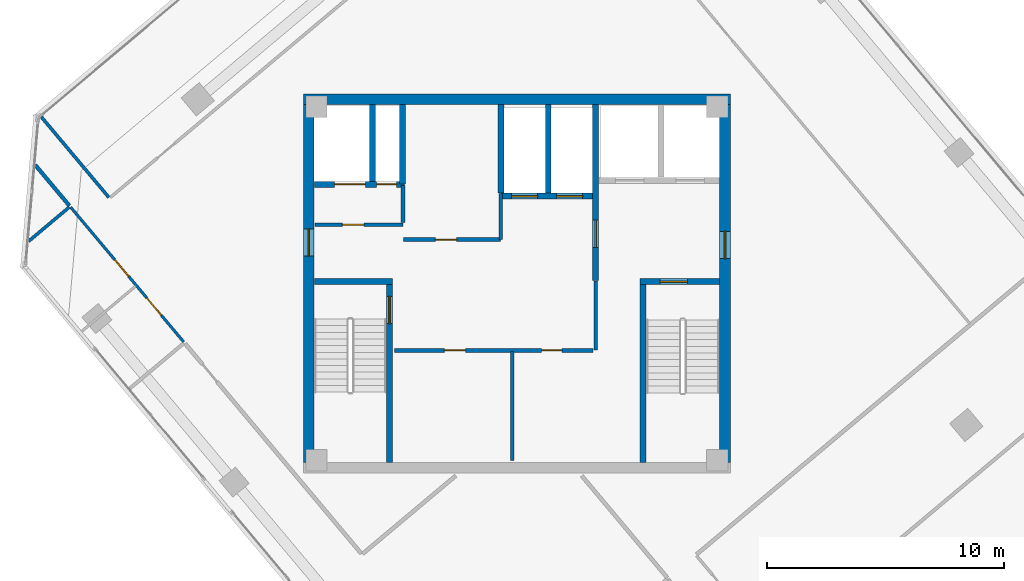
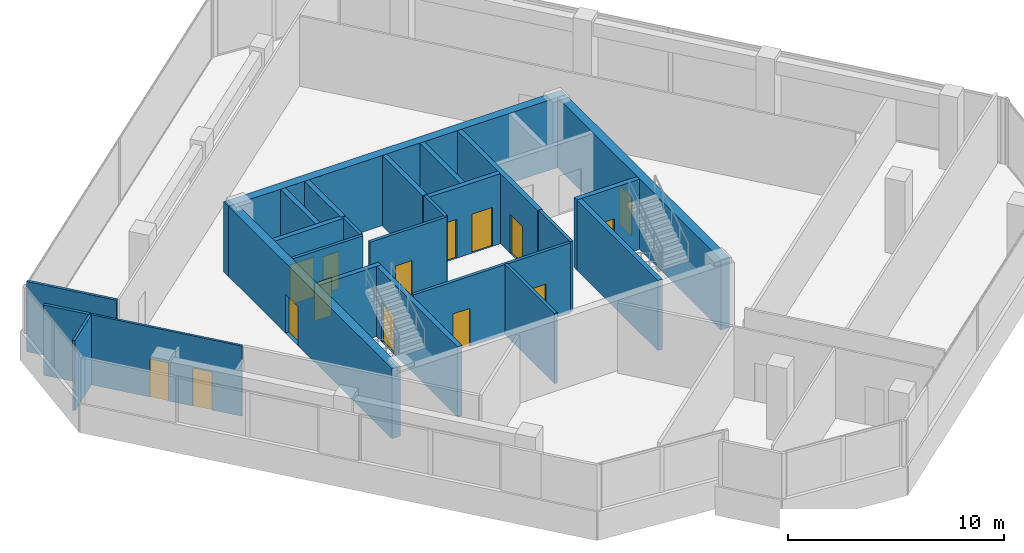
# One storey, part 13 of 17: 25 walls, 15 doors, 15 openings.
"""IFC4 building model written with IfcOpenShell, lengths in metres."""

from ifc_helpers import new_model, si_unit, direction, frame, frame_2d, origin, place, context, subcontext, project, spatial, rectangle, extrude, source, transform, mapped, material, layer, layer_set, type_object, element, fill, save


model = new_model("IFC4")

# Units and contexts
model_context = context("Model", 3, precision=1e-05, world=origin(), true_north=direction((0.0, 1.0)))
body_context = subcontext(model_context, "Body", "Model", "MODEL_VIEW")
ifc_project = project(units=[si_unit("LENGTHUNIT", "METRE"), si_unit("AREAUNIT", "SQUARE_METRE"), si_unit("VOLUMEUNIT", "CUBIC_METRE"), si_unit("PLANEANGLEUNIT", "RADIAN"), si_unit("MASSUNIT", "GRAM", prefix="KILO")], contexts=[model_context])

# Site, building, storey
site_placement = place(None, origin())
site = spatial("IfcSite", under=ifc_project, at=site_placement, CompositionType="ELEMENT")
building_placement = place(site_placement, origin())
building = spatial("IfcBuilding", under=site, at=building_placement, Name="Torre Montelarca", CompositionType="ELEMENT")
storey_placement = place(building_placement, frame((0.0, 0.0, 271.0)))
storey = spatial("IfcBuildingStorey", under=building, at=storey_placement, Name="L61", CompositionType="ELEMENT", Elevation=271.0)

# Wall, opening, door
ifc_material_1 = material(Name="Concrete C40/50", Category="concrete")
ifc_layer_1 = layer(ifc_material_1, 0.25, Name="Concrete C40/50", Category="concrete")
ifc_layer_set_1 = layer_set([ifc_layer_1], Name="Concrete C40/50")
wall_type_1 = type_object("IfcWallType", Name="CW-SHAFT-250", PredefinedType="SHEAR", material=ifc_layer_set_1)
wall_1_placement = place(storey_placement, frame((12.625, 24.4599609375, 0.0), z_axis=(0.0, 0.0, 1.0), x_axis=(0.0, 1.0, 0.0)))
wall_1 = element("IfcWall", 1, at=wall_1_placement, inside=storey, type_object=wall_type_1, Name="L61 Core Shear Wall SH-ST1-E", PredefinedType="SHEAR", context=body_context, shape_type="SweptSolid", body=[
    extrude(rectangle(XDim=7.489990234375, YDim=0.25, at=frame_2d((3.7451171875, 0.0))), origin(), (0.0, 0.0, 1.0), 3.9599609375),
])
opening_1_placement = place(wall_1_placement, frame((5.85009765625, 0.0, 0.0)))
opening_1 = element("IfcOpeningElement", 2, at=opening_1_placement, cuts=wall_1, Name="Opening FD-ST1", PredefinedType="OPENING", context=body_context, shape_type="SweptSolid", body=[
    extrude(rectangle(XDim=1.14990234375, YDim=2.199951171875, at=frame_2d((0.574951171875, 1.10009765625))), frame((0.0, 0.135009765625, 0.0), z_axis=(0.0, -1.0, 0.0), x_axis=(1.0, 0.0, 0.0)), (0.0, 0.0, 1.0), 0.27001953125),
])
ifc_material_2 = material(Name="Galvanized steel fire door", Category="steel")
door_type_1 = type_object("IfcDoorType", Name="DR-STAIR-115", OperationType="NOTDEFINED", PredefinedType="DOOR", material=ifc_material_2)
shared_shape_1 = source(origin(), body_context, "Body", "SweptSolid", [
    extrude(rectangle(XDim=1.14990234375, YDim=2.199951171875, at=frame_2d((0.574951171875, 1.10009765625))), frame((0.0, 0.02490234375, 0.0), z_axis=(0.0, -1.0, 0.0), x_axis=(1.0, 0.0, 0.0)), (0.0, 0.0, 1.0), 0.050048828125),
])
door_1_placement = place(opening_1_placement, origin())
door_1 = element("IfcDoor", 3, at=door_1_placement, inside=storey, type_object=door_type_1, Name="L61 Exit Stair ST1 Fire Door", OperationType="SINGLE_SWING_RIGHT", OverallHeight=2.199951171875, OverallWidth=1.14990234375, PredefinedType="DOOR", context=body_context, shape_type="MappedRepresentation", body=[
    mapped(shared_shape_1, transform((0.0, 0.0, 0.0), scale=1.0)),
])
fill(opening_1, door_1)

# Walls
wall_2_placement = place(storey_placement, frame((9.4599609375, 32.074951171875, 0.0), z_axis=(0.0, 0.0, 1.0), x_axis=(1.0, 0.0, 0.0)))
element("IfcWall", 4, at=wall_2_placement, inside=storey, type_object=wall_type_1, Name="L61 Core Shear Wall SH-ST1-N", PredefinedType="SHEAR", context=body_context, shape_type="SweptSolid", body=[
    extrude(rectangle(XDim=3.2900390625, YDim=0.25, at=frame_2d((1.64501953125, 0.0))), origin(), (0.0, 0.0, 1.0), 3.9599609375),
])
wall_3_placement = place(storey_placement, frame((23.31494140625, 24.4599609375, 0.0), z_axis=(0.0, 0.0, 1.0), x_axis=(0.0, 1.0, 0.0)))
element("IfcWall", 5, at=wall_3_placement, inside=storey, type_object=wall_type_1, Name="L61 Core Shear Wall SH-ST2-W", PredefinedType="SHEAR", context=body_context, shape_type="SweptSolid", body=[
    extrude(rectangle(XDim=7.489990234375, YDim=0.25, at=frame_2d((3.7451171875, 0.0))), origin(), (0.0, 0.0, 1.0), 3.9599609375),
])

# Wall, opening, door
wall_4_placement = place(storey_placement, frame((23.18994140625, 32.074951171875, 0.0), z_axis=(0.0, 0.0, 1.0), x_axis=(1.0, 0.0, 0.0)))
wall_4 = element("IfcWall", 6, at=wall_4_placement, inside=storey, type_object=wall_type_1, Name="L61 Core Shear Wall SH-ST2-N", PredefinedType="SHEAR", context=body_context, shape_type="SweptSolid", body=[
    extrude(rectangle(XDim=3.35009765625, YDim=0.25, at=frame_2d((1.675048828125, 0.0))), origin(), (0.0, 0.0, 1.0), 3.9599609375),
])
opening_2_placement = place(wall_4_placement, frame((0.85009765625, 0.0, 0.0)))
opening_2 = element("IfcOpeningElement", 7, at=opening_2_placement, cuts=wall_4, Name="Opening FD-ST1", PredefinedType="OPENING", context=body_context, shape_type="SweptSolid", body=[
    extrude(rectangle(XDim=1.14990234375, YDim=2.199951171875, at=frame_2d((0.574951171875, 1.10009765625))), frame((0.0, 0.135009765625, 0.0), z_axis=(0.0, -1.0, 0.0), x_axis=(1.0, 0.0, 0.0)), (0.0, 0.0, 1.0), 0.27001953125),
])
door_2_placement = place(opening_2_placement, origin())
door_2 = element("IfcDoor", 8, at=door_2_placement, inside=storey, type_object=door_type_1, Name="L61 Exit Stair ST2 Fire Door", OperationType="SINGLE_SWING_RIGHT", OverallHeight=2.199951171875, OverallWidth=1.14990234375, PredefinedType="DOOR", context=body_context, shape_type="MappedRepresentation", body=[
    mapped(shared_shape_1, transform((0.0, 0.0, 0.0), scale=1.0)),
])
fill(opening_2, door_2)

wall_5_placement = place(storey_placement, frame((21.320068359375, 32.1201171875, 0.0), z_axis=(0.0, 0.0, 1.0), x_axis=(0.0, 1.0, 0.0)))
wall_5 = element("IfcWall", 9, at=wall_5_placement, inside=storey, type_object=wall_type_1, Name="L61 Core Shear Wall SH-FFL-W", PredefinedType="SHEAR", context=body_context, shape_type="SweptSolid", body=[
    extrude(rectangle(XDim=7.419921875, YDim=0.25, at=frame_2d((3.7099609375, 0.0))), origin(), (0.0, 0.0, 1.0), 3.9599609375),
])
opening_3_placement = place(wall_5_placement, frame((1.39990234375, 0.0, 0.0)))
opening_3 = element("IfcOpeningElement", 10, at=opening_3_placement, cuts=wall_5, Name="Opening FD-LB1", PredefinedType="OPENING", context=body_context, shape_type="SweptSolid", body=[
    extrude(rectangle(XDim=1.14990234375, YDim=2.199951171875, at=frame_2d((0.574951171875, 1.10009765625))), frame((0.0, 0.135009765625, 0.0), z_axis=(0.0, -1.0, 0.0), x_axis=(1.0, 0.0, 0.0)), (0.0, 0.0, 1.0), 0.27001953125),
])
ifc_material_3 = material(Name="Acoustic timber-veneered fire door", Category="wood")
door_type_2 = type_object("IfcDoorType", Name="DR-LOBBY-115", OperationType="NOTDEFINED", PredefinedType="DOOR", material=ifc_material_3)
shared_shape_2 = source(origin(), body_context, "Body", "SweptSolid", [
    extrude(rectangle(XDim=1.14990234375, YDim=2.199951171875, at=frame_2d((0.574951171875, 1.10009765625))), frame((0.0, 0.02490234375, 0.0), z_axis=(0.0, -1.0, 0.0), x_axis=(1.0, 0.0, 0.0)), (0.0, 0.0, 1.0), 0.050048828125),
])
door_3_placement = place(opening_3_placement, origin())
door_3 = element("IfcDoor", 11, at=door_3_placement, inside=storey, type_object=door_type_2, Name="L61 Lift Lobby to Firefighting Lobby Smoke Door", OperationType="SINGLE_SWING_LEFT", OverallHeight=2.199951171875, OverallWidth=1.14990234375, PredefinedType="DOOR", context=body_context, shape_type="MappedRepresentation", body=[
    mapped(shared_shape_2, transform((0.0, 0.0, 0.0), scale=1.0)),
])
fill(opening_3, door_3)

# Wall, openings, doors
wall_6_placement = place(storey_placement, frame((9.4599609375, 36.179931640625, 0.0), z_axis=(0.0, 0.0, 1.0), x_axis=(1.0, 0.0, 0.0)))
wall_6 = element("IfcWall", 12, at=wall_6_placement, inside=storey, type_object=wall_type_1, Name="L61 Core Shear Wall SH-SV1-S", PredefinedType="SHEAR", context=body_context, shape_type="SweptSolid", body=[
    extrude(rectangle(XDim=3.7900390625, YDim=0.25, at=frame_2d((1.89501953125, 0.0))), origin(), (0.0, 0.0, 1.0), 3.9599609375),
])
opening_4_placement = place(wall_6_placement, frame((2.6201171875, 0.0, 0.0)))
opening_4 = element("IfcOpeningElement", 13, at=opening_4_placement, cuts=wall_6, Name="Opening FD-085", PredefinedType="OPENING", context=body_context, shape_type="SweptSolid", body=[
    extrude(rectangle(XDim=0.85009765625, YDim=2.10009765625, at=frame_2d((0.425048828125, 1.050048828125))), frame((0.0, 0.135009765625, 0.0), z_axis=(0.0, -1.0, 0.0), x_axis=(1.0, 0.0, 0.0)), (0.0, 0.0, 1.0), 0.27001953125),
])
opening_5_placement = place(wall_6_placement, frame((0.85009765625, 0.0, 0.0)))
opening_5 = element("IfcOpeningElement", 14, at=opening_5_placement, cuts=wall_6, Name="Opening LD-130", PredefinedType="OPENING", context=body_context, shape_type="SweptSolid", body=[
    extrude(rectangle(XDim=1.300048828125, YDim=2.25, at=frame_2d((0.64990234375, 1.125))), frame((0.0, 0.135009765625, 0.0), z_axis=(0.0, -1.0, 0.0), x_axis=(1.0, 0.0, 0.0)), (0.0, 0.0, 1.0), 0.27001953125),
])
ifc_material_4 = material(Name="Steel riser access fire door", Category="steel")
door_type_3 = type_object("IfcDoorType", Name="DR-RISER-085", OperationType="NOTDEFINED", PredefinedType="DOOR", material=ifc_material_4)
shared_shape_3 = source(origin(), body_context, "Body", "SweptSolid", [
    extrude(rectangle(XDim=0.85009765625, YDim=2.10009765625, at=frame_2d((0.425048828125, 1.050048828125))), frame((0.0, 0.02490234375, 0.0), z_axis=(0.0, -1.0, 0.0), x_axis=(1.0, 0.0, 0.0)), (0.0, 0.0, 1.0), 0.050048828125),
])
door_4_placement = place(opening_4_placement, origin())
door_4 = element("IfcDoor", 15, at=door_4_placement, inside=storey, type_object=door_type_3, Name="L61 Electrical Riser Shaft Access Door", OperationType="SINGLE_SWING_RIGHT", OverallHeight=2.10009765625, OverallWidth=0.85009765625, PredefinedType="DOOR", context=body_context, shape_type="MappedRepresentation", body=[
    mapped(shared_shape_3, transform((0.0, 0.0, 0.0), scale=1.0)),
])
fill(opening_4, door_4)
ifc_material_5 = material(Name="Brushed stainless steel AISI 316", Category="steel")
door_type_4 = type_object("IfcDoorType", Name="DR-LIFT-130", OperationType="SLIDING_TO_LEFT", PredefinedType="DOOR", material=ifc_material_5)
shared_shape_4 = source(origin(), body_context, "Body", "SweptSolid", [
    extrude(rectangle(XDim=1.300048828125, YDim=2.25, at=frame_2d((0.64990234375, 1.125))), frame((0.0, 0.02490234375, 0.0), z_axis=(0.0, -1.0, 0.0), x_axis=(1.0, 0.0, 0.0)), (0.0, 0.0, 1.0), 0.050048828125),
])
door_5_placement = place(opening_5_placement, origin())
door_5 = element("IfcDoor", 16, at=door_5_placement, inside=storey, type_object=door_type_4, Name="L61 Lift Landing Sliding Door SV-1", OperationType="SLIDING_TO_LEFT", OverallHeight=2.25, OverallWidth=1.300048828125, PredefinedType="DOOR", context=body_context, shape_type="MappedRepresentation", body=[
    mapped(shared_shape_4, transform((0.0, 0.0, 0.0), scale=1.0)),
])
fill(opening_5, door_5)

# Walls
wall_7_placement = place(storey_placement, frame((11.89990234375, 36.31005859375, 0.0), z_axis=(0.0, 0.0, 1.0), x_axis=(0.0, 1.0, 0.0)))
element("IfcWall", 17, at=wall_7_placement, inside=storey, type_object=wall_type_1, Name="L61 Core Shear Wall SH-SV1-E", PredefinedType="SHEAR", context=body_context, shape_type="SweptSolid", body=[
    extrude(rectangle(XDim=3.22998046875, YDim=0.25, at=frame_2d((1.614990234375, 0.0))), origin(), (0.0, 0.0, 1.0), 3.9599609375),
])
wall_8_placement = place(storey_placement, frame((13.179931640625, 36.199951171875, 0.0), z_axis=(0.0, 0.0, 1.0), x_axis=(0.0, 1.0, 0.0)))
element("IfcWall", 18, at=wall_8_placement, inside=storey, type_object=wall_type_1, Name="L61 Core Shear Wall SH-RSR1-E", PredefinedType="SHEAR", context=body_context, shape_type="SweptSolid", body=[
    extrude(rectangle(XDim=3.340087890625, YDim=0.25, at=frame_2d((1.669921875, 0.0))), origin(), (0.0, 0.0, 1.0), 3.9599609375),
])

# Wall, openings, doors
wall_9_placement = place(storey_placement, frame((17.320068359375, 35.679931640625, 0.0), z_axis=(0.0, 0.0, 1.0), x_axis=(1.0, 0.0, 0.0)))
wall_9 = element("IfcWall", 19, at=wall_9_placement, inside=storey, type_object=wall_type_1, Name="L61 Core Shear Wall SH-PLH-S", PredefinedType="SHEAR", context=body_context, shape_type="SweptSolid", body=[
    extrude(rectangle(XDim=3.869873046875, YDim=0.25, at=frame_2d((1.93505859375, 0.0))), origin(), (0.0, 0.0, 1.0), 3.9599609375),
])
opening_6_placement = place(wall_9_placement, frame((0.449951171875, 0.0, 0.0)))
opening_6 = element("IfcOpeningElement", 20, at=opening_6_placement, cuts=wall_9, Name="Opening LD-110", PredefinedType="OPENING", context=body_context, shape_type="SweptSolid", body=[
    extrude(rectangle(XDim=1.10009765625, YDim=2.199951171875, at=frame_2d((0.550048828125, 1.10009765625))), frame((0.0, 0.135009765625, 0.0), z_axis=(0.0, -1.0, 0.0), x_axis=(1.0, 0.0, 0.0)), (0.0, 0.0, 1.0), 0.27001953125),
])
opening_7_placement = place(wall_9_placement, frame((2.35009765625, 0.0, 0.0)))
opening_7 = element("IfcOpeningElement", 21, at=opening_7_placement, cuts=wall_9, Name="Opening LD-110", PredefinedType="OPENING", context=body_context, shape_type="SweptSolid", body=[
    extrude(rectangle(XDim=1.10009765625, YDim=2.199951171875, at=frame_2d((0.550048828125, 1.10009765625))), frame((0.0, 0.135009765625, 0.0), z_axis=(0.0, -1.0, 0.0), x_axis=(1.0, 0.0, 0.0)), (0.0, 0.0, 1.0), 0.27001953125),
])
door_type_5 = type_object("IfcDoorType", Name="DR-LIFT-110", OperationType="SLIDING_TO_LEFT", PredefinedType="DOOR", material=ifc_material_5)
shared_shape_5 = source(origin(), body_context, "Body", "SweptSolid", [
    extrude(rectangle(XDim=1.10009765625, YDim=2.199951171875, at=frame_2d((0.550048828125, 1.10009765625))), frame((0.0, 0.02490234375, 0.0), z_axis=(0.0, -1.0, 0.0), x_axis=(1.0, 0.0, 0.0)), (0.0, 0.0, 1.0), 0.050048828125),
])
door_6_placement = place(opening_6_placement, origin())
door_6 = element("IfcDoor", 22, at=door_6_placement, inside=storey, type_object=door_type_5, Name="L61 Lift Landing Sliding Door PL-H1", OperationType="SLIDING_TO_LEFT", OverallHeight=2.199951171875, OverallWidth=1.10009765625, PredefinedType="DOOR", context=body_context, shape_type="MappedRepresentation", body=[
    mapped(shared_shape_5, transform((0.0, 0.0, 0.0), scale=1.0)),
])
fill(opening_6, door_6)
door_7_placement = place(opening_7_placement, origin())
door_7 = element("IfcDoor", 23, at=door_7_placement, inside=storey, type_object=door_type_5, Name="L61 Lift Landing Sliding Door PL-H2", OperationType="SLIDING_TO_RIGHT", OverallHeight=2.199951171875, OverallWidth=1.10009765625, PredefinedType="DOOR", context=body_context, shape_type="MappedRepresentation", body=[
    mapped(shared_shape_5, transform((0.0, 0.0, 0.0), scale=1.0)),
])
fill(opening_7, door_7)

# Walls
for number, where, z_axis, x_axis, name in (
    (24, (17.320068359375, 35.81005859375, 0.0), (0.0, 0.0, 1.0), (0.0, 1.0, 0.0), "L61 Core Shear Wall SH-PLH-W"),
    (25, (19.320068359375, 35.81005859375, 0.0), (0.0, 0.0, 1.0), (0.0, 1.0, 0.0), "L61 Core Shear Wall SH-PLH-M"),
):
    element("IfcWall", number, at=place(storey_placement, frame(where, z_axis=z_axis, x_axis=x_axis)), inside=storey, type_object=wall_type_1, Name=name, PredefinedType="SHEAR", context=body_context, shape_type="SweptSolid", body=[
        extrude(rectangle(XDim=3.72998046875, YDim=0.25, at=frame_2d((1.864990234375, 0.0))), origin(), (0.0, 0.0, 1.0), 3.9599609375),
    ])

# Wall, opening, door
ifc_material_6 = material(Name="Concrete C55/67", Category="concrete")
ifc_layer_2 = layer(ifc_material_6, 0.449951171875, Name="Concrete C55/67", Category="concrete")
ifc_layer_set_2 = layer_set([ifc_layer_2], Name="Concrete C55/67")
wall_type_2 = type_object("IfcWallType", Name="CW-SHEAR-450", PredefinedType="SHEAR", material=ifc_layer_set_2)
wall_10_placement = place(storey_placement, frame((9.22509765625, 24.449951171875, 0.0), z_axis=(0.0, 0.0, 1.0), x_axis=(0.0, 1.0, 0.0)))
wall_10 = element("IfcWall", 26, at=wall_10_placement, inside=storey, type_object=wall_type_2, Name="L61 Core Shear Wall CW-W", PredefinedType="SHEAR", context=body_context, shape_type="SweptSolid", body=[
    extrude(rectangle(XDim=15.10009765625, YDim=0.449951171875, at=frame_2d((7.550048828125, 0.0))), origin(), (0.0, 0.0, 1.0), 3.9599609375),
])
opening_8_placement = place(wall_10_placement, frame((8.699951171875, 0.0, 0.0)))
opening_8 = element("IfcOpeningElement", 27, at=opening_8_placement, cuts=wall_10, Name="Opening FD-LB1", PredefinedType="OPENING", context=body_context, shape_type="SweptSolid", body=[
    extrude(rectangle(XDim=1.14990234375, YDim=2.199951171875, at=frame_2d((0.574951171875, 1.10009765625))), frame((0.0, 0.23486328125, 0.0), z_axis=(0.0, -1.0, 0.0), x_axis=(1.0, 0.0, 0.0)), (0.0, 0.0, 1.0), 0.469970703125),
])
door_8_placement = place(opening_8_placement, origin())
door_8 = element("IfcDoor", 28, at=door_8_placement, inside=storey, type_object=door_type_2, Name="L61 Passenger Lift Lobby West Corridor Fire Door", OperationType="SINGLE_SWING_RIGHT", OverallHeight=2.199951171875, OverallWidth=1.14990234375, PredefinedType="DOOR", context=body_context, shape_type="MappedRepresentation", body=[
    mapped(shared_shape_2, transform((0.0, 0.0, 0.0), scale=1.0)),
])
fill(opening_8, door_8)

wall_11_placement = place(storey_placement, frame((26.77490234375, 24.449951171875, 0.0), z_axis=(0.0, 0.0, 1.0), x_axis=(0.0, 1.0, 0.0)))
wall_11 = element("IfcWall", 29, at=wall_11_placement, inside=storey, type_object=wall_type_2, Name="L61 Core Shear Wall CW-E", PredefinedType="SHEAR", context=body_context, shape_type="SweptSolid", body=[
    extrude(rectangle(XDim=15.10009765625, YDim=0.449951171875, at=frame_2d((7.550048828125, 0.0))), origin(), (0.0, 0.0, 1.0), 3.9599609375),
])
opening_9_placement = place(wall_11_placement, frame((8.60009765625, 0.0, 0.0)))
opening_9 = element("IfcOpeningElement", 30, at=opening_9_placement, cuts=wall_11, Name="Opening FD-LB1", PredefinedType="OPENING", context=body_context, shape_type="SweptSolid", body=[
    extrude(rectangle(XDim=1.14990234375, YDim=2.199951171875, at=frame_2d((0.574951171875, 1.10009765625))), frame((0.0, 0.23486328125, 0.0), z_axis=(0.0, -1.0, 0.0), x_axis=(1.0, 0.0, 0.0)), (0.0, 0.0, 1.0), 0.469970703125),
])
door_9_placement = place(opening_9_placement, origin())
door_9 = element("IfcDoor", 31, at=door_9_placement, inside=storey, type_object=door_type_2, Name="L61 Firefighting Lift Lobby Corridor Fire Door", OperationType="SINGLE_SWING_RIGHT", OverallHeight=2.199951171875, OverallWidth=1.14990234375, PredefinedType="DOOR", context=body_context, shape_type="MappedRepresentation", body=[
    mapped(shared_shape_2, transform((0.0, 0.0, 0.0), scale=1.0)),
])
fill(opening_9, door_9)

# Wall
wall_12_placement = place(storey_placement, frame((9.0, 39.77490234375, 0.0), z_axis=(0.0, 0.0, 1.0), x_axis=(1.0, 0.0, 0.0)))
element("IfcWall", 32, at=wall_12_placement, inside=storey, type_object=wall_type_2, Name="L61 Core Shear Wall CW-N1", PredefinedType="SHEAR", context=body_context, shape_type="SweptSolid", body=[
    extrude(rectangle(XDim=18.0, YDim=0.449951171875, at=frame_2d((9.0, 0.0))), origin(), (0.0, 0.0, 1.0), 3.9599609375),
])

# Wall, opening, door
ifc_material_7 = material(Name="Gypsum plasterboard on steel stud", Category="steel")
ifc_layer_3 = layer(ifc_material_7, 0.159912109375, Name="Gypsum plasterboard on steel stud", Category="steel")
ifc_layer_set_3 = layer_set([ifc_layer_3], Name="Gypsum plasterboard on steel stud")
wall_type_3 = type_object("IfcWallType", Name="PW-FIRE-160", PredefinedType="PARTITIONING", material=ifc_layer_set_3)
wall_13_placement = place(storey_placement, frame((9.489990234375, 34.47998046875, 0.0), z_axis=(0.0, 0.0, 1.0), x_axis=(1.0, 0.0, 0.0)))
wall_13 = element("IfcWall", 33, at=wall_13_placement, inside=storey, type_object=wall_type_3, Name="L61 Interior Partition CW-L61-SVS", PredefinedType="PARTITIONING", context=body_context, shape_type="SweptSolid", body=[
    extrude(rectangle(XDim=3.699951171875, YDim=0.159912109375, at=frame_2d((1.85009765625, 0.0))), origin(), (0.0, 0.0, 1.0), 3.9599609375),
])
opening_10_placement = place(wall_13_placement, frame((1.14990234375, 0.0, 0.0)))
opening_10 = element("IfcOpeningElement", 34, at=opening_10_placement, cuts=wall_13, Name="Opening FD-090", PredefinedType="OPENING", context=body_context, shape_type="SweptSolid", body=[
    extrude(rectangle(XDim=0.89990234375, YDim=2.14990234375, at=frame_2d((0.449951171875, 1.074951171875))), frame((0.0, 0.08984375, 0.0), z_axis=(0.0, -1.0, 0.0), x_axis=(1.0, 0.0, 0.0)), (0.0, 0.0, 1.0), 0.179931640625),
])
ifc_material_8 = material(Name="Steel service fire door", Category="steel")
door_type_6 = type_object("IfcDoorType", Name="DR-FIRE-090", OperationType="NOTDEFINED", PredefinedType="DOOR", material=ifc_material_8)
shared_shape_6 = source(origin(), body_context, "Body", "SweptSolid", [
    extrude(rectangle(XDim=0.89990234375, YDim=2.14990234375, at=frame_2d((0.449951171875, 1.074951171875))), frame((0.0, 0.02490234375, 0.0), z_axis=(0.0, -1.0, 0.0), x_axis=(1.0, 0.0, 0.0)), (0.0, 0.0, 1.0), 0.050048828125),
])
door_10_placement = place(opening_10_placement, origin())
door_10 = element("IfcDoor", 35, at=door_10_placement, inside=storey, type_object=door_type_6, Name="L61 Interior Door 01", OperationType="SINGLE_SWING_RIGHT", OverallHeight=2.14990234375, OverallWidth=0.89990234375, PredefinedType="DOOR", context=body_context, shape_type="MappedRepresentation", body=[
    mapped(shared_shape_6, transform((0.0, 0.0, 0.0), scale=1.0)),
])
fill(opening_10, door_10)

# Wall
wall_14_placement = place(storey_placement, frame((13.199951171875, 34.570068359375, 0.0), z_axis=(0.0, 0.0, 1.0), x_axis=(0.0, 1.0, 0.0)))
element("IfcWall", 36, at=wall_14_placement, inside=storey, type_object=wall_type_3, Name="L61 Interior Partition CW-L61-SVE", PredefinedType="PARTITIONING", context=body_context, shape_type="SweptSolid", body=[
    extrude(rectangle(XDim=1.56982421875, YDim=0.159912109375, at=frame_2d((0.784912109375, 0.0))), origin(), (0.0, 0.0, 1.0), 3.9599609375),
])

# Wall, opening, door
wall_15_placement = place(storey_placement, frame((13.2099609375, 33.85009765625, 0.0), z_axis=(0.0, 0.0, 1.0), x_axis=(1.0, 0.0, 0.0)))
wall_15 = element("IfcWall", 37, at=wall_15_placement, inside=storey, type_object=wall_type_3, Name="L61 Interior Partition CW-L61-FRMS", PredefinedType="PARTITIONING", context=body_context, shape_type="SweptSolid", body=[
    extrude(rectangle(XDim=4.10009765625, YDim=0.159912109375, at=frame_2d((2.050048828125, 0.0))), origin(), (0.0, 0.0, 1.0), 3.9599609375),
])
opening_11_placement = place(wall_15_placement, frame((1.35009765625, 0.0, 0.0)))
opening_11 = element("IfcOpeningElement", 38, at=opening_11_placement, cuts=wall_15, Name="Opening FD-090", PredefinedType="OPENING", context=body_context, shape_type="SweptSolid", body=[
    extrude(rectangle(XDim=0.89990234375, YDim=2.14990234375, at=frame_2d((0.449951171875, 1.074951171875))), frame((0.0, 0.08984375, 0.0), z_axis=(0.0, -1.0, 0.0), x_axis=(1.0, 0.0, 0.0)), (0.0, 0.0, 1.0), 0.179931640625),
])
door_11_placement = place(opening_11_placement, origin())
door_11 = element("IfcDoor", 39, at=door_11_placement, inside=storey, type_object=door_type_6, Name="L61 Interior Door 02", OperationType="SINGLE_SWING_LEFT", OverallHeight=2.14990234375, OverallWidth=0.89990234375, PredefinedType="DOOR", context=body_context, shape_type="MappedRepresentation", body=[
    mapped(shared_shape_6, transform((0.0, 0.0, 0.0), scale=1.0)),
])
fill(opening_11, door_11)

# Wall
wall_16_placement = place(storey_placement, frame((17.320068359375, 33.860107421875, 0.0), z_axis=(0.0, 0.0, 1.0), x_axis=(0.0, 1.0, 0.0)))
element("IfcWall", 40, at=wall_16_placement, inside=storey, type_object=wall_type_3, Name="L61 Interior Partition CW-L61-FRME", PredefinedType="PARTITIONING", context=body_context, shape_type="SweptSolid", body=[
    extrude(rectangle(XDim=1.929931640625, YDim=0.159912109375, at=frame_2d((0.96484375, 0.0))), origin(), (0.0, 0.0, 1.0), 3.9599609375),
])

# Wall, openings, doors
wall_17_placement = place(storey_placement, frame((12.840087890625, 29.179931640625, 0.0), z_axis=(0.0, 0.0, 1.0), x_axis=(1.0, 0.0, 0.0)))
wall_17 = element("IfcWall", 41, at=wall_17_placement, inside=storey, type_object=wall_type_3, Name="L61 Interior Partition CW-L61-FRDN", PredefinedType="PARTITIONING", context=body_context, shape_type="SweptSolid", body=[
    extrude(rectangle(XDim=8.369873046875, YDim=0.159912109375, at=frame_2d((4.18505859375, 0.0))), origin(), (0.0, 0.0, 1.0), 3.9599609375),
])
opening_12_placement = place(wall_17_placement, frame((2.10009765625, 0.0, 0.0)))
opening_12 = element("IfcOpeningElement", 42, at=opening_12_placement, cuts=wall_17, Name="Opening FD-090", PredefinedType="OPENING", context=body_context, shape_type="SweptSolid", body=[
    extrude(rectangle(XDim=0.89990234375, YDim=2.14990234375, at=frame_2d((0.449951171875, 1.074951171875))), frame((0.0, 0.08984375, 0.0), z_axis=(0.0, -1.0, 0.0), x_axis=(1.0, 0.0, 0.0)), (0.0, 0.0, 1.0), 0.179931640625),
])
opening_13_placement = place(wall_17_placement, frame((6.199951171875, 0.0, 0.0)))
opening_13 = element("IfcOpeningElement", 43, at=opening_13_placement, cuts=wall_17, Name="Opening FD-085", PredefinedType="OPENING", context=body_context, shape_type="SweptSolid", body=[
    extrude(rectangle(XDim=0.85009765625, YDim=2.10009765625, at=frame_2d((0.425048828125, 1.050048828125))), frame((0.0, 0.08984375, 0.0), z_axis=(0.0, -1.0, 0.0), x_axis=(1.0, 0.0, 0.0)), (0.0, 0.0, 1.0), 0.179931640625),
])
door_12_placement = place(opening_13_placement, origin())
door_12 = element("IfcDoor", 44, at=door_12_placement, inside=storey, type_object=door_type_3, Name="L61 Interior Door 04", OperationType="SINGLE_SWING_LEFT", OverallHeight=2.10009765625, OverallWidth=0.85009765625, PredefinedType="DOOR", context=body_context, shape_type="MappedRepresentation", body=[
    mapped(shared_shape_3, transform((0.0, 0.0, 0.0), scale=1.0)),
])
fill(opening_13, door_12)
door_13_placement = place(opening_12_placement, origin())
door_13 = element("IfcDoor", 45, at=door_13_placement, inside=storey, type_object=door_type_6, Name="L61 Interior Door 03", OperationType="SINGLE_SWING_RIGHT", OverallHeight=2.14990234375, OverallWidth=0.89990234375, PredefinedType="DOOR", context=body_context, shape_type="MappedRepresentation", body=[
    mapped(shared_shape_6, transform((0.0, 0.0, 0.0), scale=1.0)),
])
fill(opening_12, door_13)

# Walls
wall_18_placement = place(storey_placement, frame((17.800048828125, 24.5400390625, 0.0), z_axis=(0.0, 0.0, 1.0), x_axis=(0.0, 1.0, 0.0)))
element("IfcWall", 46, at=wall_18_placement, inside=storey, type_object=wall_type_3, Name="L61 Interior Partition CW-L61-FRD1", PredefinedType="PARTITIONING", context=body_context, shape_type="SweptSolid", body=[
    extrude(rectangle(XDim=4.599853515625, YDim=0.159912109375, at=frame_2d((2.2998046875, 0.0))), origin(), (0.0, 0.0, 1.0), 3.9599609375),
])
wall_19_placement = place(storey_placement, frame((21.320068359375, 29.18994140625, 0.0), z_axis=(0.0, 0.0, 1.0), x_axis=(0.0, 1.0, 0.0)))
element("IfcWall", 47, at=wall_19_placement, inside=storey, type_object=wall_type_3, Name="L61 Interior Partition CW-L61-FRE", PredefinedType="PARTITIONING", context=body_context, shape_type="SweptSolid", body=[
    extrude(rectangle(XDim=2.920166015625, YDim=0.159912109375, at=frame_2d((1.4599609375, 0.0))), origin(), (0.0, 0.0, 1.0), 3.9599609375),
])
wall_20_placement = place(storey_placement, frame((-2.3115234375, 36.994873046875, 0.0), z_axis=(0.0, 0.0, 1.0), x_axis=(0.642783398336, -0.766047976842, 0.0)))
element("IfcWall", 48, at=wall_20_placement, inside=storey, type_object=wall_type_3, Name="L61 Interior Partition W-L61-SOCCW", PredefinedType="PARTITIONING", context=body_context, shape_type="SweptSolid", body=[
    extrude(rectangle(XDim=2.241943359375, YDim=0.159912109375, at=frame_2d((1.12109375, 0.0))), origin(), (0.0, 0.0, 1.0), 3.9599609375),
])

# Wall, openings, doors
ifc_layer_4 = layer(ifc_material_7, 0.114990234375, Name="Gypsum plasterboard on steel stud", Category="steel")
ifc_layer_set_4 = layer_set([ifc_layer_4], Name="Gypsum plasterboard on steel stud")
wall_type_4 = type_object("IfcWallType", Name="PW-PART-115", PredefinedType="PARTITIONING", material=ifc_layer_set_4)
wall_21_placement = place(storey_placement, frame((-0.81884765625, 35.21630859375, 0.0), z_axis=(0.0, 0.0, 1.0), x_axis=(0.642772999209, -0.766056702528, 0.0)))
wall_21 = element("IfcWall", 49, at=wall_21_placement, inside=storey, type_object=wall_type_4, Name="L61 Interior Partition W-L61-WCN", PredefinedType="PARTITIONING", context=body_context, shape_type="SweptSolid", body=[
    extrude(rectangle(XDim=7.420166015625, YDim=0.114990234375, at=frame_2d((3.7099609375, 0.0))), origin(), (0.0, 0.0, 1.0), 3.9599609375),
])
opening_14_placement = place(wall_21_placement, frame((2.89990234375, 0.0, 0.0)))
opening_14 = element("IfcOpeningElement", 50, at=opening_14_placement, cuts=wall_21, Name="Opening ID-090", PredefinedType="OPENING", context=body_context, shape_type="SweptSolid", body=[
    extrude(rectangle(XDim=0.89990234375, YDim=2.14990234375, at=frame_2d((0.449951171875, 1.074951171875))), frame((0.0, 0.0673828125, 0.0), z_axis=(0.0, -1.0, 0.0), x_axis=(1.0, 0.0, 0.0)), (0.0, 0.0, 1.0), 0.135009765625),
])
opening_15_placement = place(wall_21_placement, frame((5.0, 0.0, 0.0)))
opening_15 = element("IfcOpeningElement", 51, at=opening_15_placement, cuts=wall_21, Name="Opening ID-095", PredefinedType="OPENING", context=body_context, shape_type="SweptSolid", body=[
    extrude(rectangle(XDim=0.949951171875, YDim=2.14990234375, at=frame_2d((0.47509765625, 1.074951171875))), frame((0.0, 0.0673828125, 0.0), z_axis=(0.0, -1.0, 0.0), x_axis=(1.0, 0.0, 0.0)), (0.0, 0.0, 1.0), 0.135009765625),
])
ifc_material_9 = material(Name="Hardwood acoustic timber veneer", Category="wood")
door_type_7 = type_object("IfcDoorType", Name="DR-INT-090", OperationType="NOTDEFINED", PredefinedType="DOOR", material=ifc_material_9)
shared_shape_7 = source(origin(), body_context, "Body", "SweptSolid", [
    extrude(rectangle(XDim=0.89990234375, YDim=2.14990234375, at=frame_2d((0.449951171875, 1.074951171875))), frame((0.0, 0.02490234375, 0.0), z_axis=(0.0, -1.0, 0.0), x_axis=(1.0, 0.0, 0.0)), (0.0, 0.0, 1.0), 0.050048828125),
])
door_14_placement = place(opening_14_placement, origin())
door_14 = element("IfcDoor", 52, at=door_14_placement, inside=storey, type_object=door_type_7, Name="L61 Interior Door 05", OperationType="SINGLE_SWING_LEFT", OverallHeight=2.14990234375, OverallWidth=0.89990234375, PredefinedType="DOOR", context=body_context, shape_type="MappedRepresentation", body=[
    mapped(shared_shape_7, transform((0.0, 0.0, 0.0), scale=1.0)),
])
fill(opening_14, door_14)
door_type_8 = type_object("IfcDoorType", Name="DR-INT-095", OperationType="NOTDEFINED", PredefinedType="DOOR", material=ifc_material_9)
shared_shape_8 = source(origin(), body_context, "Body", "SweptSolid", [
    extrude(rectangle(XDim=0.949951171875, YDim=2.14990234375, at=frame_2d((0.47509765625, 1.074951171875))), frame((0.0, 0.02490234375, 0.0), z_axis=(0.0, -1.0, 0.0), x_axis=(1.0, 0.0, 0.0)), (0.0, 0.0, 1.0), 0.050048828125),
])
door_15_placement = place(opening_15_placement, origin())
door_15 = element("IfcDoor", 53, at=door_15_placement, inside=storey, type_object=door_type_8, Name="L61 Interior Door 06", OperationType="SINGLE_SWING_RIGHT", OverallHeight=2.14990234375, OverallWidth=0.949951171875, PredefinedType="DOOR", context=body_context, shape_type="MappedRepresentation", body=[
    mapped(shared_shape_8, transform((0.0, 0.0, 0.0), scale=1.0)),
])
fill(opening_15, door_15)

# Walls
ifc_layer_5 = layer(ifc_material_7, 0.135009765625, Name="Gypsum plasterboard on steel stud", Category="steel")
ifc_layer_set_5 = layer_set([ifc_layer_5], Name="Gypsum plasterboard on steel stud")
wall_type_5 = type_object("IfcWallType", Name="PW-PART-135", PredefinedType="PARTITIONING", material=ifc_layer_set_5)
wall_22_placement = place(storey_placement, frame((-2.5927734375, 33.77978515625, 0.0), z_axis=(0.0, 0.0, 1.0), x_axis=(0.765994359698, 0.642847292062, 0.0)))
element("IfcWall", 54, at=wall_22_placement, inside=storey, type_object=wall_type_5, Name="L61 Interior Partition W-L61-WCW", PredefinedType="PARTITIONING", context=body_context, shape_type="SweptSolid", body=[
    extrude(rectangle(XDim=2.2421875, YDim=0.135009765625, at=frame_2d((1.12109375, 0.0))), origin(), (0.0, 0.0, 1.0), 3.9599609375),
])
wall_23_placement = place(storey_placement, frame((-2.0546875, 39.0224609375, 0.0), z_axis=(0.0, 0.0, 1.0), x_axis=(0.642777132802, -0.766053234147, 0.0)))
element("IfcWall", 55, at=wall_23_placement, inside=storey, type_object=wall_type_5, Name="L61 Interior Partition W-L61-WWGS", PredefinedType="PARTITIONING", context=body_context, shape_type="SweptSolid", body=[
    extrude(rectangle(XDim=4.43017578125, YDim=0.135009765625, at=frame_2d((2.215087890625, 0.0))), origin(), (0.0, 0.0, 1.0), 3.9599609375),
])

save(model, "model.ifc")
